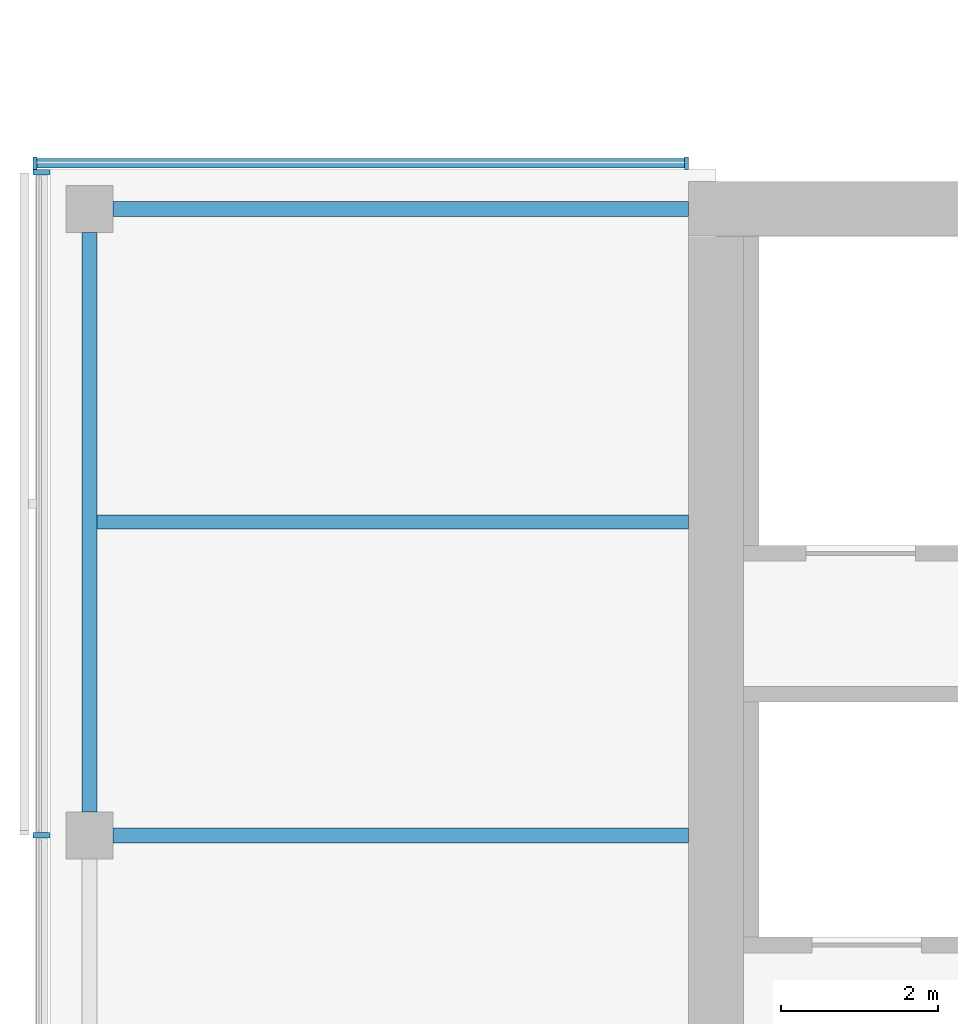
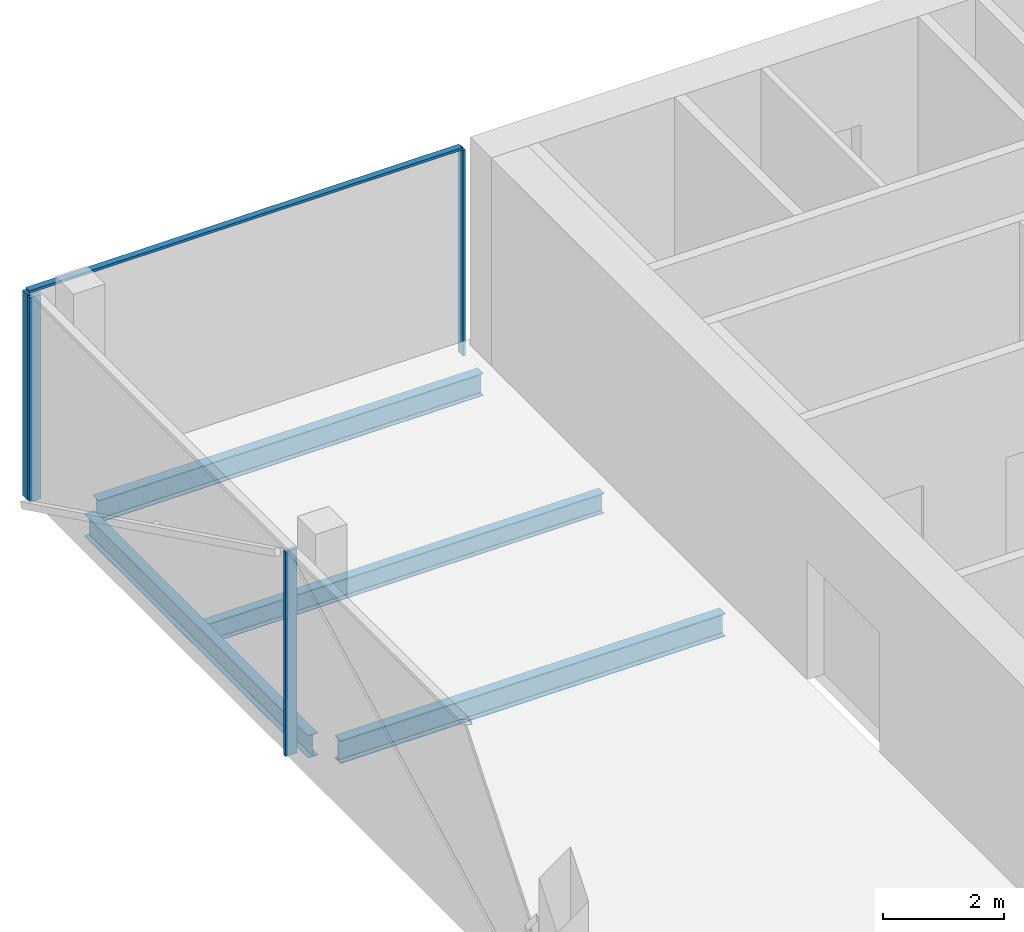
# One storey, part 7 of 22: 5 members, 4 beams, 2 elements without a shape of their own.
"""IFC4 building model written with IfcOpenShell, lengths in metres."""

from ifc_helpers import new_model, si_unit, direction, frame, origin, origin_2d, place, context, subcontext, project, spatial, rectangle, i_section, extrude, material, material_profile, profile_set, type_object, element, aggregate, save


model = new_model("IFC4")

# Units and contexts
model_context = context("Model", 3, precision=1e-05, world=origin(), true_north=direction((0.0, 1.0)))
body_context = subcontext(model_context, "Body", "Model", "MODEL_VIEW")
ifc_project = project(units=[si_unit("LENGTHUNIT", "METRE"), si_unit("AREAUNIT", "SQUARE_METRE"), si_unit("VOLUMEUNIT", "CUBIC_METRE"), si_unit("PLANEANGLEUNIT", "RADIAN"), si_unit("MASSUNIT", "GRAM", prefix="KILO")], contexts=[model_context])

# Site, building, storey
site_placement = place(None, origin())
site = spatial("IfcSite", under=ifc_project, at=site_placement, CompositionType="ELEMENT")
building_placement = place(site_placement, origin())
building = spatial("IfcBuilding", under=site, at=building_placement, Name="Crosswind Convention Tower", CompositionType="ELEMENT")
storey_placement = place(building_placement, frame((0.0, 0.0, 129.5)))
storey = spatial("IfcBuildingStorey", under=building, at=storey_placement, Name="L26", CompositionType="ELEMENT", Elevation=129.5)

# Beams
ifc_material_1 = material(Name="Steel S355", Category="steel")
ifc_material_profile_1 = material_profile(ifc_material_1, i_section(OverallWidth=0.18994140625, OverallDepth=0.45361328125, WebThickness=0.008544921875, FlangeThickness=0.0126953125, FilletRadius=0.01025390625, at=origin_2d()), Name="UB 457x191x67")
ifc_profile_set_1 = profile_set([ifc_material_profile_1], Name="Steel S355")
beam_type_1 = type_object("IfcBeamType", Name="Edge beam UB 457x191x67", PredefinedType="SPANDREL", material=ifc_profile_set_1)
beam_1_placement = place(storey_placement, frame((89.0, 104.300048828125, -0.52685546875), z_axis=(0.0, 1.0, 0.0), x_axis=(-1.0, 0.0, 0.0)))
element("IfcBeam", 1, at=beam_1_placement, inside=storey, type_object=beam_type_1, Name="B16 L26 edge beam 3", PredefinedType="SPANDREL", context=body_context, shape_type="SweptSolid", body=[
    extrude(i_section(OverallWidth=0.18994140625, OverallDepth=0.45361328125, WebThickness=0.008544921875, FlangeThickness=0.0126953125, FilletRadius=0.01025390625, at=origin_2d()), origin(), (0.0, 0.0, 1.0), 7.39990234375),
])
beam_2_placement = place(storey_placement, frame((89.300048828125, 112.0, -0.52685546875), z_axis=(1.0, 0.0, 0.0), x_axis=(0.0, 1.0, 0.0)))
element("IfcBeam", 2, at=beam_2_placement, inside=storey, type_object=beam_type_1, Name="B16 L26 edge beam 5", PredefinedType="SPANDREL", context=body_context, shape_type="SweptSolid", body=[
    extrude(i_section(OverallWidth=0.18994140625, OverallDepth=0.45361328125, WebThickness=0.008544921875, FlangeThickness=0.0126953125, FilletRadius=0.01025390625, at=origin_2d()), origin(), (0.0, 0.0, 1.0), 7.349853515625),
])
ifc_material_profile_2 = material_profile(ifc_material_1, i_section(OverallWidth=0.19189453125, OverallDepth=0.463623046875, WebThickness=0.010498046875, FlangeThickness=0.017578125, FilletRadius=0.01025390625, at=origin_2d()), Name="UB 457x191x90")
ifc_profile_set_2 = profile_set([ifc_material_profile_2], Name="Steel S355")
beam_type_2 = type_object("IfcBeamType", Name="Girder at core wall UB 457x191x90", PredefinedType="BEAM", material=ifc_profile_set_2)
beam_3_placement = place(storey_placement, frame((89.300048828125, 104.0, -0.53173828125), z_axis=(1.0, 0.0, 0.0), x_axis=(0.0, 1.0, 0.0)))
element("IfcBeam", 3, at=beam_3_placement, inside=storey, type_object=beam_type_2, Name="B24 L26 girder at core wall 2", PredefinedType="BEAM", context=body_context, shape_type="SweptSolid", body=[
    extrude(i_section(OverallWidth=0.19189453125, OverallDepth=0.463623046875, WebThickness=0.010498046875, FlangeThickness=0.017578125, FilletRadius=0.01025390625, at=origin_2d()), origin(), (0.0, 0.0, 1.0), 7.349853515625),
])

# Curtain wall, members
ifc_material_2 = material(Name="Aluminium unitised curtain wall", Category="aluminium")
curtain_wall_type_1 = type_object("IfcCurtainWallType", Name="CORE END SLOT WALL 160", PredefinedType="USERDEFINED", material=ifc_material_2)
curtain_wall_1_placement = place(storey_placement, origin())
curtain_wall_1 = element("IfcCurtainWall", 4, at=curtain_wall_1_placement, inside=storey, type_object=curtain_wall_type_1, Name="CW6 L26 W-N.2-1 slot", ObjectType="UNITISED", PredefinedType="USERDEFINED")
ifc_material_3 = material(Name="Aluminium mullion", Category="aluminium")
ifc_material_profile_3 = material_profile(ifc_material_3, rectangle(XDim=0.159912109375, YDim=0.050048828125, at=origin_2d()), Name="AL 160X50")
ifc_profile_set_3 = profile_set([ifc_material_profile_3], Name="Aluminium mullion")
member_type_1 = type_object("IfcMemberType", Name="MULLION 50X160", PredefinedType="MULLION", material=ifc_profile_set_3)
member_1_placement = place(storey_placement, frame((96.625, 112.580078125, -0.300048828125), z_axis=(0.0, 0.0, 1.0), x_axis=(0.0, 1.0, 0.0)))
member_1 = element("IfcMember", 5, at=member_1_placement, type_object=member_type_1, Name="CW6 mullion 1", PredefinedType="MULLION", context=body_context, shape_type="SweptSolid", body=[
    extrude(rectangle(XDim=0.159912109375, YDim=0.050048828125, at=origin_2d()), origin(), (0.0, 0.0, 1.0), 4.150146484375),
])
member_2_placement = place(storey_placement, frame((88.304931640625, 112.580078125, -0.300048828125), z_axis=(0.0, 0.0, 1.0), x_axis=(0.0, 1.0, 0.0)))
member_2 = element("IfcMember", 6, at=member_2_placement, type_object=member_type_1, Name="CW6 mullion 2", PredefinedType="MULLION", context=body_context, shape_type="SweptSolid", body=[
    extrude(rectangle(XDim=0.159912109375, YDim=0.050048828125, at=origin_2d()), origin(), (0.0, 0.0, 1.0), 4.150146484375),
])

curtain_wall_type_2 = type_object("IfcCurtainWallType", Name="OFFICE UNITISED WALL 220", PredefinedType="USERDEFINED", material=ifc_material_2)
curtain_wall_2_placement = place(storey_placement, origin())
curtain_wall_2 = element("IfcCurtainWall", 7, at=curtain_wall_2_placement, inside=storey, type_object=curtain_wall_type_2, Name="CW3 L26 W-TIP 1", ObjectType="UNITISED", PredefinedType="USERDEFINED")
ifc_material_profile_4 = material_profile(ifc_material_3, rectangle(XDim=0.219970703125, YDim=0.070068359375, at=origin_2d()), Name="AL 220X70")
ifc_profile_set_4 = profile_set([ifc_material_profile_4], Name="Aluminium mullion")
member_type_2 = type_object("IfcMemberType", Name="MULLION 70X220", PredefinedType="MULLION", material=ifc_profile_set_4)
member_3_placement = place(storey_placement, frame((88.389892578125, 112.465087890625, -0.300048828125), z_axis=(0.0, 0.0, 1.0), x_axis=(-1.0, 0.0, 0.0)))
member_3 = element("IfcMember", 8, at=member_3_placement, type_object=member_type_2, Name="CW3 mullion 1", PredefinedType="MULLION", context=body_context, shape_type="SweptSolid", body=[
    extrude(rectangle(XDim=0.219970703125, YDim=0.070068359375, at=origin_2d()), origin(), (0.0, 0.0, 1.0), 4.130126953125),
])
member_4_placement = place(storey_placement, frame((88.389892578125, 104.0, -0.300048828125), z_axis=(0.0, 0.0, 1.0), x_axis=(-1.0, 0.0, 0.0)))
member_4 = element("IfcMember", 9, at=member_4_placement, type_object=member_type_2, Name="CW3 mullion 2", PredefinedType="MULLION", context=body_context, shape_type="SweptSolid", body=[
    extrude(rectangle(XDim=0.219970703125, YDim=0.070068359375, at=origin_2d()), origin(), (0.0, 0.0, 1.0), 4.130126953125),
])
aggregate(curtain_wall_2, [member_3, member_4])

# Beam
ifc_material_profile_5 = material_profile(ifc_material_1, i_section(OverallWidth=0.177734375, OverallDepth=0.406494140625, WebThickness=0.0078125, FlangeThickness=0.0126953125, FilletRadius=0.01025390625, at=origin_2d()), Name="UB 406x178x60")
ifc_profile_set_5 = profile_set([ifc_material_profile_5], Name="Steel S355")
beam_type_3 = type_object("IfcBeamType", Name="Secondary beam UB 406x178x60", PredefinedType="JOIST", material=ifc_profile_set_5)
beam_4_placement = place(storey_placement, frame((89.094970703125, 108.0, -0.503173828125), z_axis=(1.0, 0.0, 0.0), x_axis=(0.0, 1.0, 0.0)))
element("IfcBeam", 10, at=beam_4_placement, inside=storey, type_object=beam_type_3, Name="B10 L26 secondary beam 3", PredefinedType="JOIST", context=body_context, shape_type="SweptSolid", body=[
    extrude(i_section(OverallWidth=0.177734375, OverallDepth=0.406494140625, WebThickness=0.0078125, FlangeThickness=0.0126953125, FilletRadius=0.01025390625, at=origin_2d()), origin(), (0.0, 0.0, 1.0), 7.554931640625),
])

# Member
ifc_material_4 = material(Name="Aluminium transom", Category="aluminium")
ifc_material_profile_6 = material_profile(ifc_material_4, rectangle(XDim=0.1201171875, YDim=0.050048828125, at=origin_2d()), Name="AL 120X50")
ifc_profile_set_6 = profile_set([ifc_material_profile_6], Name="Aluminium transom")
member_type_3 = type_object("IfcMemberType", Name="TRANSOM 50X120", PredefinedType="USERDEFINED", material=ifc_profile_set_6)
member_5_placement = place(storey_placement, frame((96.60009765625, 112.580078125, 3.875), z_axis=(-1.0, 0.0, 0.0), x_axis=(0.0, -1.0, 0.0)))
member_5 = element("IfcMember", 11, at=member_5_placement, type_object=member_type_3, Name="CW6 transom", ObjectType="TRANSOM", PredefinedType="USERDEFINED", context=body_context, shape_type="SweptSolid", body=[
    extrude(rectangle(XDim=0.1201171875, YDim=0.050048828125, at=origin_2d()), origin(), (0.0, 0.0, 1.0), 8.27001953125),
])

aggregate(curtain_wall_1, [member_1, member_2, member_5])

save(model, "model.ifc")
